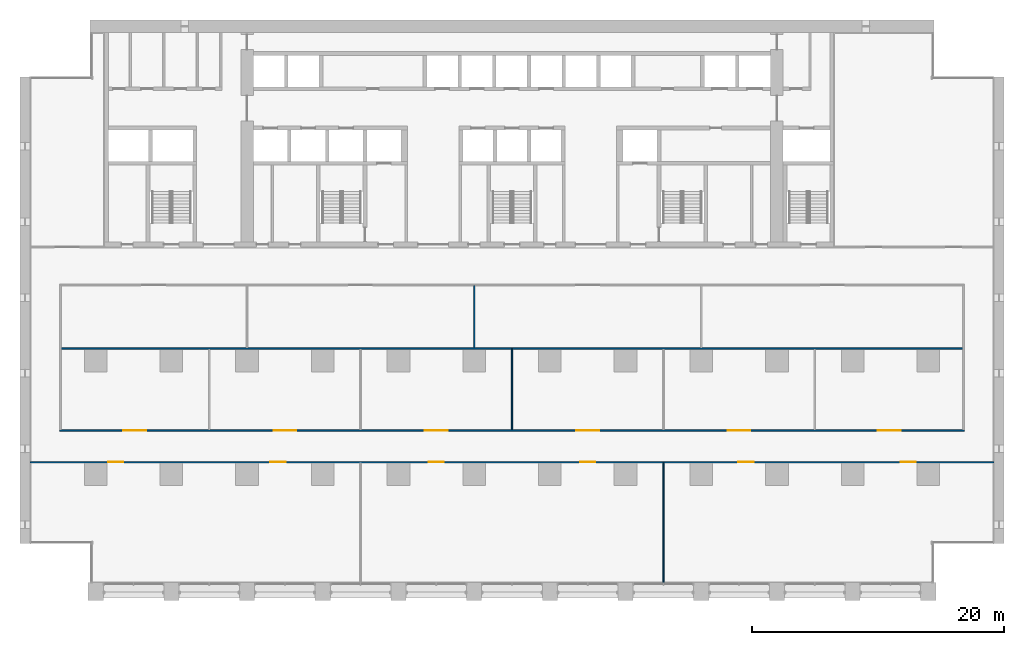
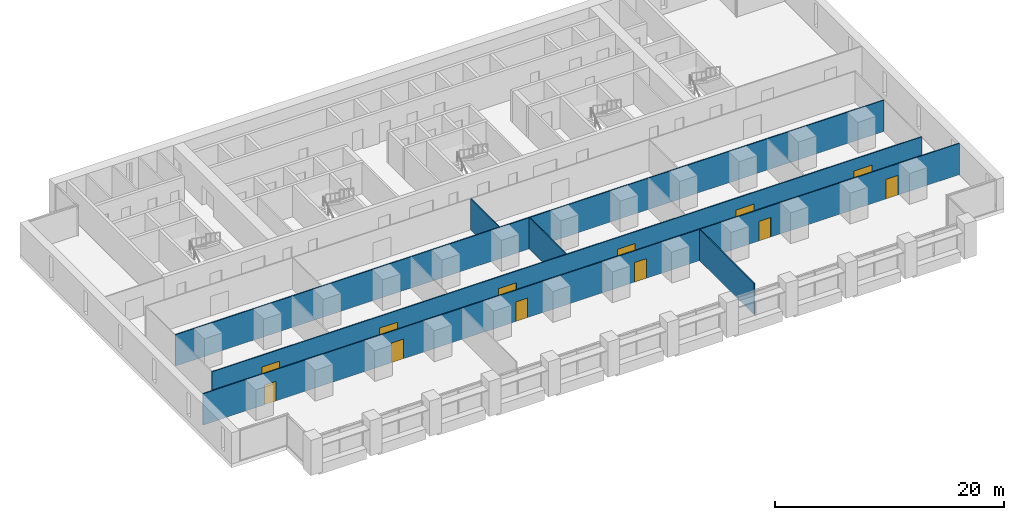
# One storey, part 9 of 18: 12 doors, 6 walls, 12 openings.
"""IFC4 building model written with IfcOpenShell, lengths in metres."""

from ifc_helpers import new_model, si_unit, direction, frame, frame_2d, origin, place, context, subcontext, project, spatial, rectangle, extrude, material, layer, layer_set, type_object, element, fill, save


model = new_model("IFC4")

# Units and contexts
model_context = context("Model", 3, precision=1e-05, world=origin(), true_north=direction((0.0, 1.0)))
body_context = subcontext(model_context, "Body", "Model", "MODEL_VIEW")
ifc_project = project(units=[si_unit("LENGTHUNIT", "METRE"), si_unit("AREAUNIT", "SQUARE_METRE"), si_unit("VOLUMEUNIT", "CUBIC_METRE"), si_unit("PLANEANGLEUNIT", "RADIAN"), si_unit("MASSUNIT", "GRAM", prefix="KILO")], contexts=[model_context])

# Site, building, storey
site_placement = place(None, origin())
site = spatial("IfcSite", under=ifc_project, at=site_placement, CompositionType="ELEMENT")
building_placement = place(site_placement, origin())
building = spatial("IfcBuilding", under=site, at=building_placement, Name="Calvaro Tower", CompositionType="ELEMENT")
storey_placement = place(building_placement, frame((0.0, 0.0, 30.0)))
storey = spatial("IfcBuildingStorey", under=building, at=storey_placement, Name="L06", CompositionType="ELEMENT", Elevation=30.0)

# Wall, openings, doors
ifc_material_1 = material(Name="Plasterboard on steel studs", Category="steel")
ifc_layer = layer(ifc_material_1, 0.10009765625)
ifc_layer_set = layer_set([ifc_layer], Name="Plasterboard on steel studs")
wall_type = type_object("IfcWallType", Name="Partition 100", PredefinedType="PARTITIONING", material=ifc_layer_set)
wall_1_placement = place(storey_placement, frame((0.800048828125, 10.949951171875, 0.0), z_axis=(0.0, 0.0, 1.0), x_axis=(1.0, 0.0, 0.0)))
wall_1 = element("IfcWall", 1, at=wall_1_placement, inside=storey, type_object=wall_type, Name="Partition T08.W001", PredefinedType="PARTITIONING", context=body_context, shape_type="SweptSolid", body=[
    extrude(rectangle(XDim=76.39990234375, YDim=0.10009765625, at=frame_2d((38.199951171875, 0.0))), origin(), (0.0, 0.0, 1.0), 3.35009765625),
])
opening_1_placement = place(wall_1_placement, frame((31.60009765625, 0.0, 0.0)))
opening_1 = element("IfcOpeningElement", 2, at=opening_1_placement, cuts=wall_1, Name="Opening T08.001", PredefinedType="OPENING", context=body_context, shape_type="SweptSolid", body=[
    extrude(rectangle(XDim=1.199951171875, YDim=2.10009765625, at=frame_2d((0.60009765625, 1.050048828125))), frame((0.0, 0.06005859375, 0.0), z_axis=(0.0, -1.0, 0.0), x_axis=(1.0, 0.0, 0.0)), (0.0, 0.0, 1.0), 0.1201171875),
])
opening_2_placement = place(wall_1_placement, frame((43.60009765625, 0.0, 0.0)))
opening_2 = element("IfcOpeningElement", 3, at=opening_2_placement, cuts=wall_1, Name="Opening T08.002", PredefinedType="OPENING", context=body_context, shape_type="SweptSolid", body=[
    extrude(rectangle(XDim=1.199951171875, YDim=2.10009765625, at=frame_2d((0.60009765625, 1.050048828125))), frame((0.0, 0.06005859375, 0.0), z_axis=(0.0, -1.0, 0.0), x_axis=(1.0, 0.0, 0.0)), (0.0, 0.0, 1.0), 0.1201171875),
])
opening_3_placement = place(wall_1_placement, frame((6.199951171875, 0.0, 0.0)))
opening_3 = element("IfcOpeningElement", 4, at=opening_3_placement, cuts=wall_1, Name="Opening T08.003", PredefinedType="OPENING", context=body_context, shape_type="SweptSolid", body=[
    extrude(rectangle(XDim=1.199951171875, YDim=2.10009765625, at=frame_2d((0.60009765625, 1.050048828125))), frame((0.0, 0.06005859375, 0.0), z_axis=(0.0, -1.0, 0.0), x_axis=(1.0, 0.0, 0.0)), (0.0, 0.0, 1.0), 0.1201171875),
])
opening_4_placement = place(wall_1_placement, frame((19.050048828125, 0.0, 0.0)))
opening_4 = element("IfcOpeningElement", 5, at=opening_4_placement, cuts=wall_1, Name="Opening T08.004", PredefinedType="OPENING", context=body_context, shape_type="SweptSolid", body=[
    extrude(rectangle(XDim=1.199951171875, YDim=2.10009765625, at=frame_2d((0.60009765625, 1.050048828125))), frame((0.0, 0.06005859375, 0.0), z_axis=(0.0, -1.0, 0.0), x_axis=(1.0, 0.0, 0.0)), (0.0, 0.0, 1.0), 0.1201171875),
])
opening_5_placement = place(wall_1_placement, frame((56.14990234375, 0.0, 0.0)))
opening_5 = element("IfcOpeningElement", 6, at=opening_5_placement, cuts=wall_1, Name="Opening T08.005", PredefinedType="OPENING", context=body_context, shape_type="SweptSolid", body=[
    extrude(rectangle(XDim=1.199951171875, YDim=2.10009765625, at=frame_2d((0.60009765625, 1.050048828125))), frame((0.0, 0.06005859375, 0.0), z_axis=(0.0, -1.0, 0.0), x_axis=(1.0, 0.0, 0.0)), (0.0, 0.0, 1.0), 0.1201171875),
])
opening_6_placement = place(wall_1_placement, frame((69.0, 0.0, 0.0)))
opening_6 = element("IfcOpeningElement", 7, at=opening_6_placement, cuts=wall_1, Name="Opening T08.006", PredefinedType="OPENING", context=body_context, shape_type="SweptSolid", body=[
    extrude(rectangle(XDim=1.199951171875, YDim=2.10009765625, at=frame_2d((0.60009765625, 1.050048828125))), frame((0.0, 0.06005859375, 0.0), z_axis=(0.0, -1.0, 0.0), x_axis=(1.0, 0.0, 0.0)), (0.0, 0.0, 1.0), 0.1201171875),
])
ifc_material_2 = material(Name="Timber", Category="wood")
door_type_1 = type_object("IfcDoorType", Name="Internal single door 1200 x 2100", OperationType="SINGLE_SWING_LEFT", PredefinedType="DOOR", material=ifc_material_2)
door_1_placement = place(opening_1_placement, origin())
door_1 = element("IfcDoor", 8, at=door_1_placement, inside=storey, type_object=door_type_1, Name="Door T08.001", OperationType="SINGLE_SWING_LEFT", OverallHeight=2.10009765625, OverallWidth=1.199951171875, PredefinedType="DOOR", context=body_context, shape_type="SweptSolid", body=[
    extrude(rectangle(XDim=1.199951171875, YDim=2.10009765625, at=frame_2d((0.60009765625, 1.050048828125))), frame((0.0, 0.02490234375, 0.0), z_axis=(0.0, -1.0, 0.0), x_axis=(1.0, 0.0, 0.0)), (0.0, 0.0, 1.0), 0.050048828125),
])
fill(opening_1, door_1)
door_2_placement = place(opening_2_placement, origin())
door_2 = element("IfcDoor", 9, at=door_2_placement, inside=storey, type_object=door_type_1, Name="Door T08.002", OperationType="SINGLE_SWING_RIGHT", OverallHeight=2.10009765625, OverallWidth=1.199951171875, PredefinedType="DOOR", context=body_context, shape_type="SweptSolid", body=[
    extrude(rectangle(XDim=1.199951171875, YDim=2.10009765625, at=frame_2d((0.60009765625, 1.050048828125))), frame((0.0, 0.02490234375, 0.0), z_axis=(0.0, -1.0, 0.0), x_axis=(1.0, 0.0, 0.0)), (0.0, 0.0, 1.0), 0.050048828125),
])
fill(opening_2, door_2)
door_3_placement = place(opening_3_placement, origin())
door_3 = element("IfcDoor", 10, at=door_3_placement, inside=storey, type_object=door_type_1, Name="Door T08.003", OperationType="SINGLE_SWING_LEFT", OverallHeight=2.10009765625, OverallWidth=1.199951171875, PredefinedType="DOOR", context=body_context, shape_type="SweptSolid", body=[
    extrude(rectangle(XDim=1.199951171875, YDim=2.10009765625, at=frame_2d((0.60009765625, 1.050048828125))), frame((0.0, 0.02490234375, 0.0), z_axis=(0.0, -1.0, 0.0), x_axis=(1.0, 0.0, 0.0)), (0.0, 0.0, 1.0), 0.050048828125),
])
fill(opening_3, door_3)
door_4_placement = place(opening_4_placement, origin())
door_4 = element("IfcDoor", 11, at=door_4_placement, inside=storey, type_object=door_type_1, Name="Door T08.004", OperationType="SINGLE_SWING_LEFT", OverallHeight=2.10009765625, OverallWidth=1.199951171875, PredefinedType="DOOR", context=body_context, shape_type="SweptSolid", body=[
    extrude(rectangle(XDim=1.199951171875, YDim=2.10009765625, at=frame_2d((0.60009765625, 1.050048828125))), frame((0.0, 0.02490234375, 0.0), z_axis=(0.0, -1.0, 0.0), x_axis=(1.0, 0.0, 0.0)), (0.0, 0.0, 1.0), 0.050048828125),
])
fill(opening_4, door_4)
door_5_placement = place(opening_5_placement, origin())
door_5 = element("IfcDoor", 12, at=door_5_placement, inside=storey, type_object=door_type_1, Name="Door T08.005", OperationType="SINGLE_SWING_RIGHT", OverallHeight=2.10009765625, OverallWidth=1.199951171875, PredefinedType="DOOR", context=body_context, shape_type="SweptSolid", body=[
    extrude(rectangle(XDim=1.199951171875, YDim=2.10009765625, at=frame_2d((0.60009765625, 1.050048828125))), frame((0.0, 0.02490234375, 0.0), z_axis=(0.0, -1.0, 0.0), x_axis=(1.0, 0.0, 0.0)), (0.0, 0.0, 1.0), 0.050048828125),
])
fill(opening_5, door_5)
door_6_placement = place(opening_6_placement, origin())
door_6 = element("IfcDoor", 13, at=door_6_placement, inside=storey, type_object=door_type_1, Name="Door T08.006", OperationType="SINGLE_SWING_RIGHT", OverallHeight=2.10009765625, OverallWidth=1.199951171875, PredefinedType="DOOR", context=body_context, shape_type="SweptSolid", body=[
    extrude(rectangle(XDim=1.199951171875, YDim=2.10009765625, at=frame_2d((0.60009765625, 1.050048828125))), frame((0.0, 0.02490234375, 0.0), z_axis=(0.0, -1.0, 0.0), x_axis=(1.0, 0.0, 0.0)), (0.0, 0.0, 1.0), 0.050048828125),
])
fill(opening_6, door_6)

wall_2_placement = place(storey_placement, frame((3.14990234375, 13.449951171875, 0.0), z_axis=(0.0, 0.0, 1.0), x_axis=(1.0, 0.0, 0.0)))
wall_2 = element("IfcWall", 14, at=wall_2_placement, inside=storey, type_object=wall_type, Name="Partition T08.W002", PredefinedType="PARTITIONING", context=body_context, shape_type="SweptSolid", body=[
    extrude(rectangle(XDim=71.7001953125, YDim=0.10009765625, at=frame_2d((35.85009765625, 0.0))), origin(), (0.0, 0.0, 1.0), 3.35009765625),
])
opening_7_placement = place(wall_2_placement, frame((5.050048828125, 0.0, 0.0)))
opening_7 = element("IfcOpeningElement", 15, at=opening_7_placement, cuts=wall_2, Name="Opening T08.007", PredefinedType="OPENING", context=body_context, shape_type="SweptSolid", body=[
    extrude(rectangle(XDim=1.800048828125, YDim=2.10009765625, at=frame_2d((0.89990234375, 1.050048828125))), frame((0.0, 0.06005859375, 0.0), z_axis=(0.0, -1.0, 0.0), x_axis=(1.0, 0.0, 0.0)), (0.0, 0.0, 1.0), 0.1201171875),
])
opening_8_placement = place(wall_2_placement, frame((16.949951171875, 0.0, 0.0)))
opening_8 = element("IfcOpeningElement", 16, at=opening_8_placement, cuts=wall_2, Name="Opening T08.008", PredefinedType="OPENING", context=body_context, shape_type="SweptSolid", body=[
    extrude(rectangle(XDim=1.800048828125, YDim=2.10009765625, at=frame_2d((0.89990234375, 1.050048828125))), frame((0.0, 0.06005859375, 0.0), z_axis=(0.0, -1.0, 0.0), x_axis=(1.0, 0.0, 0.0)), (0.0, 0.0, 1.0), 0.1201171875),
])
opening_9_placement = place(wall_2_placement, frame((28.949951171875, 0.0, 0.0)))
opening_9 = element("IfcOpeningElement", 17, at=opening_9_placement, cuts=wall_2, Name="Opening T08.009", PredefinedType="OPENING", context=body_context, shape_type="SweptSolid", body=[
    extrude(rectangle(XDim=1.800048828125, YDim=2.10009765625, at=frame_2d((0.89990234375, 1.050048828125))), frame((0.0, 0.06005859375, 0.0), z_axis=(0.0, -1.0, 0.0), x_axis=(1.0, 0.0, 0.0)), (0.0, 0.0, 1.0), 0.1201171875),
])
opening_10_placement = place(wall_2_placement, frame((40.949951171875, 0.0, 0.0)))
opening_10 = element("IfcOpeningElement", 18, at=opening_10_placement, cuts=wall_2, Name="Opening T08.010", PredefinedType="OPENING", context=body_context, shape_type="SweptSolid", body=[
    extrude(rectangle(XDim=1.800048828125, YDim=2.10009765625, at=frame_2d((0.89990234375, 1.050048828125))), frame((0.0, 0.06005859375, 0.0), z_axis=(0.0, -1.0, 0.0), x_axis=(1.0, 0.0, 0.0)), (0.0, 0.0, 1.0), 0.1201171875),
])
opening_11_placement = place(wall_2_placement, frame((52.949951171875, 0.0, 0.0)))
opening_11 = element("IfcOpeningElement", 19, at=opening_11_placement, cuts=wall_2, Name="Opening T08.011", PredefinedType="OPENING", context=body_context, shape_type="SweptSolid", body=[
    extrude(rectangle(XDim=1.800048828125, YDim=2.10009765625, at=frame_2d((0.89990234375, 1.050048828125))), frame((0.0, 0.06005859375, 0.0), z_axis=(0.0, -1.0, 0.0), x_axis=(1.0, 0.0, 0.0)), (0.0, 0.0, 1.0), 0.1201171875),
])
opening_12_placement = place(wall_2_placement, frame((64.85009765625, 0.0, 0.0)))
opening_12 = element("IfcOpeningElement", 20, at=opening_12_placement, cuts=wall_2, Name="Opening T08.012", PredefinedType="OPENING", context=body_context, shape_type="SweptSolid", body=[
    extrude(rectangle(XDim=1.800048828125, YDim=2.10009765625, at=frame_2d((0.89990234375, 1.050048828125))), frame((0.0, 0.06005859375, 0.0), z_axis=(0.0, -1.0, 0.0), x_axis=(1.0, 0.0, 0.0)), (0.0, 0.0, 1.0), 0.1201171875),
])
ifc_material_3 = material(Name="Timber", Category="wood")
door_type_2 = type_object("IfcDoorType", Name="Internal double door 1800 x 2100", OperationType="DOUBLE_DOOR_SINGLE_SWING", PredefinedType="DOOR", material=ifc_material_3)
door_7_placement = place(opening_7_placement, origin())
door_7 = element("IfcDoor", 21, at=door_7_placement, inside=storey, type_object=door_type_2, Name="Door T08.007", OperationType="DOUBLE_DOOR_SINGLE_SWING", OverallHeight=2.10009765625, OverallWidth=1.800048828125, PredefinedType="DOOR", context=body_context, shape_type="SweptSolid", body=[
    extrude(rectangle(XDim=1.800048828125, YDim=2.10009765625, at=frame_2d((0.89990234375, 1.050048828125))), frame((0.0, 0.02490234375, 0.0), z_axis=(0.0, -1.0, 0.0), x_axis=(1.0, 0.0, 0.0)), (0.0, 0.0, 1.0), 0.050048828125),
])
fill(opening_7, door_7)
door_8_placement = place(opening_8_placement, origin())
door_8 = element("IfcDoor", 22, at=door_8_placement, inside=storey, type_object=door_type_2, Name="Door T08.008", OperationType="DOUBLE_DOOR_SINGLE_SWING", OverallHeight=2.10009765625, OverallWidth=1.800048828125, PredefinedType="DOOR", context=body_context, shape_type="SweptSolid", body=[
    extrude(rectangle(XDim=1.800048828125, YDim=2.10009765625, at=frame_2d((0.89990234375, 1.050048828125))), frame((0.0, 0.02490234375, 0.0), z_axis=(0.0, -1.0, 0.0), x_axis=(1.0, 0.0, 0.0)), (0.0, 0.0, 1.0), 0.050048828125),
])
fill(opening_8, door_8)
door_9_placement = place(opening_9_placement, origin())
door_9 = element("IfcDoor", 23, at=door_9_placement, inside=storey, type_object=door_type_2, Name="Door T08.009", OperationType="DOUBLE_DOOR_SINGLE_SWING", OverallHeight=2.10009765625, OverallWidth=1.800048828125, PredefinedType="DOOR", context=body_context, shape_type="SweptSolid", body=[
    extrude(rectangle(XDim=1.800048828125, YDim=2.10009765625, at=frame_2d((0.89990234375, 1.050048828125))), frame((0.0, 0.02490234375, 0.0), z_axis=(0.0, -1.0, 0.0), x_axis=(1.0, 0.0, 0.0)), (0.0, 0.0, 1.0), 0.050048828125),
])
fill(opening_9, door_9)
door_10_placement = place(opening_10_placement, origin())
door_10 = element("IfcDoor", 24, at=door_10_placement, inside=storey, type_object=door_type_2, Name="Door T08.010", OperationType="DOUBLE_DOOR_SINGLE_SWING", OverallHeight=2.10009765625, OverallWidth=1.800048828125, PredefinedType="DOOR", context=body_context, shape_type="SweptSolid", body=[
    extrude(rectangle(XDim=1.800048828125, YDim=2.10009765625, at=frame_2d((0.89990234375, 1.050048828125))), frame((0.0, 0.02490234375, 0.0), z_axis=(0.0, -1.0, 0.0), x_axis=(1.0, 0.0, 0.0)), (0.0, 0.0, 1.0), 0.050048828125),
])
fill(opening_10, door_10)
door_11_placement = place(opening_11_placement, origin())
door_11 = element("IfcDoor", 25, at=door_11_placement, inside=storey, type_object=door_type_2, Name="Door T08.011", OperationType="DOUBLE_DOOR_SINGLE_SWING", OverallHeight=2.10009765625, OverallWidth=1.800048828125, PredefinedType="DOOR", context=body_context, shape_type="SweptSolid", body=[
    extrude(rectangle(XDim=1.800048828125, YDim=2.10009765625, at=frame_2d((0.89990234375, 1.050048828125))), frame((0.0, 0.02490234375, 0.0), z_axis=(0.0, -1.0, 0.0), x_axis=(1.0, 0.0, 0.0)), (0.0, 0.0, 1.0), 0.050048828125),
])
fill(opening_11, door_11)
door_12_placement = place(opening_12_placement, origin())
door_12 = element("IfcDoor", 26, at=door_12_placement, inside=storey, type_object=door_type_2, Name="Door T08.012", OperationType="DOUBLE_DOOR_SINGLE_SWING", OverallHeight=2.10009765625, OverallWidth=1.800048828125, PredefinedType="DOOR", context=body_context, shape_type="SweptSolid", body=[
    extrude(rectangle(XDim=1.800048828125, YDim=2.10009765625, at=frame_2d((0.89990234375, 1.050048828125))), frame((0.0, 0.02490234375, 0.0), z_axis=(0.0, -1.0, 0.0), x_axis=(1.0, 0.0, 0.0)), (0.0, 0.0, 1.0), 0.050048828125),
])
fill(opening_12, door_12)

# Walls
wall_3_placement = place(storey_placement, frame((3.25, 19.949951171875, 0.0), z_axis=(0.0, 0.0, 1.0), x_axis=(1.0, 0.0, 0.0)))
element("IfcWall", 27, at=wall_3_placement, inside=storey, type_object=wall_type, Name="Partition T08.W003", PredefinedType="PARTITIONING", context=body_context, shape_type="SweptSolid", body=[
    extrude(rectangle(XDim=71.5, YDim=0.10009765625, at=frame_2d((35.75, 0.0))), origin(), (0.0, 0.0, 1.0), 3.35009765625),
])
wall_4_placement = place(storey_placement, frame((36.0, 20.0, 0.0), z_axis=(0.0, 0.0, 1.0), x_axis=(0.0, 1.0, 0.0)))
element("IfcWall", 28, at=wall_4_placement, inside=storey, type_object=wall_type, Name="Partition T08.W012", PredefinedType="PARTITIONING", context=body_context, shape_type="SweptSolid", body=[
    extrude(rectangle(XDim=4.949951171875, YDim=0.10009765625, at=frame_2d((2.47509765625, 0.0))), origin(), (0.0, 0.0, 1.0), 3.35009765625),
])
wall_5_placement = place(storey_placement, frame((39.0, 13.5, 0.0), z_axis=(0.0, 0.0, 1.0), x_axis=(0.0, 1.0, 0.0)))
element("IfcWall", 29, at=wall_5_placement, inside=storey, type_object=wall_type, Name="Partition T08.W013", PredefinedType="PARTITIONING", context=body_context, shape_type="SweptSolid", body=[
    extrude(rectangle(XDim=6.39990234375, YDim=0.10009765625, at=frame_2d((3.199951171875, 0.0))), origin(), (0.0, 0.0, 1.0), 3.35009765625),
])
wall_6_placement = place(storey_placement, frame((51.0, 1.39990234375, 0.0), z_axis=(0.0, 0.0, 1.0), x_axis=(0.0, 1.0, 0.0)))
element("IfcWall", 30, at=wall_6_placement, inside=storey, type_object=wall_type, Name="Partition T08.W014", PredefinedType="PARTITIONING", context=body_context, shape_type="SweptSolid", body=[
    extrude(rectangle(XDim=9.5, YDim=0.10009765625, at=frame_2d((4.75, 0.0))), origin(), (0.0, 0.0, 1.0), 3.35009765625),
])

save(model, "model.ifc")
